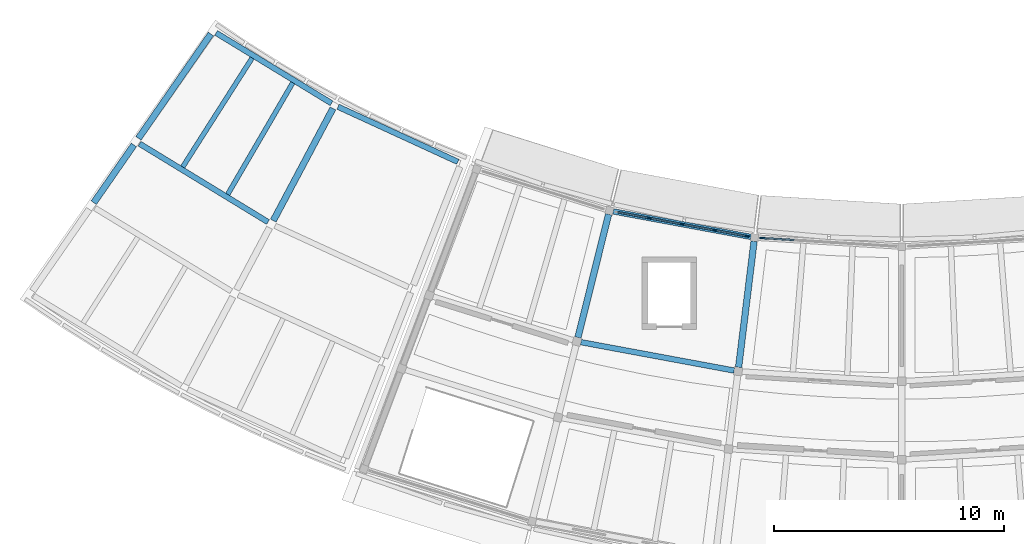
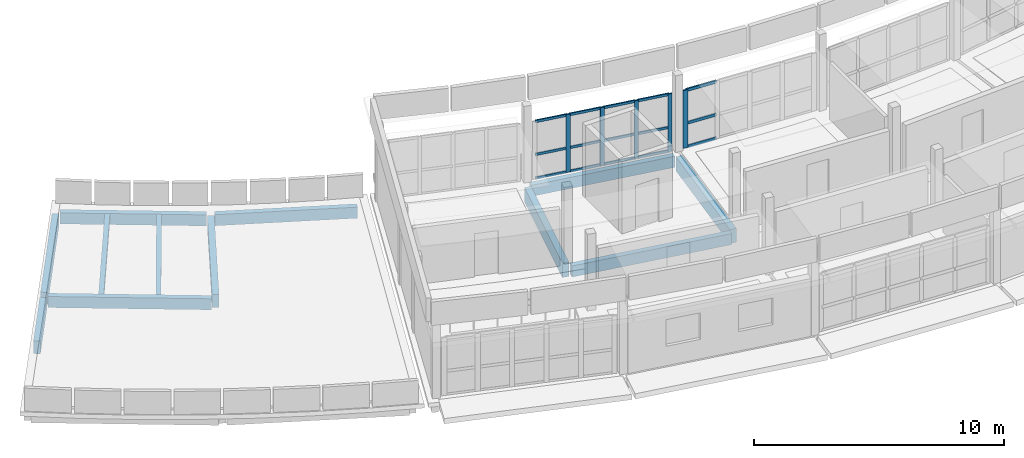
# One storey, part 3 of 12: 20 members, 12 beams, 2 elements without a shape of their own.
"""IFC4 building model written with IfcOpenShell, lengths in metres."""

import ifcopenshell
import ifcopenshell.guid

model = None  # the IFC model being written
_history = None  # IfcOwnerHistory: only IFC2X3 demands one
_inside = {}  # id of a spatial element -> (the spatial element, [elements in it])
_under = {}  # id of a project, library or spatial element -> (it, [spatial elements below it])
_declared = {}  # id of a project -> (the project, [libraries it declares])
_typed = {}  # id of a type object -> (the type object, [elements of that type])
_made_of = {}  # id of a material, layer set ... -> (it, [elements and type objects made of it])


def new_model(schema):
    """Start an empty IFC model of exactly this schema.

    Asked for "IFC4X3", IfcOpenShell would pick the latest addendum, in which some entities
    have other attributes; the version numbers below select the first issue.
    IFC2X3 requires an IfcOwnerHistory on every rooted entity: one is made here for all.
    """
    global model, _history
    if schema == "IFC4X3":
        model = ifcopenshell.file(schema_version=(4, 3, 0, 0))
    else:
        model = ifcopenshell.file(schema=schema)
    _inside.clear()
    _under.clear()
    _declared.clear()
    _typed.clear()
    _made_of.clear()
    _history = None
    if model.schema == "IFC2X3":
        org = make("IfcOrganization", Name="unknown")
        user = make(
            "IfcPersonAndOrganization",
            ThePerson=make("IfcPerson", FamilyName="unknown"),
            TheOrganization=org,
        )
        app = make(
            "IfcApplication",
            ApplicationDeveloper=org,
            Version="unknown",
            ApplicationFullName="unknown",
            ApplicationIdentifier="unknown",
        )
        _history = make(
            "IfcOwnerHistory",
            OwningUser=user,
            OwningApplication=app,
            ChangeAction="ADDED",
            CreationDate=0,
        )
    return model


def make(cls, **values):
    """One entity of the class cls with the attributes given. An attribute that is None is left unset."""
    return model.create_entity(
        cls, **{name: value for name, value in values.items() if value is not None}
    )


def rooted(cls, **values):
    """An entity with a GlobalId (a new one), such as an element, a storey or a relation."""
    return make(cls, GlobalId=ifcopenshell.guid.new(), OwnerHistory=_history, **values)


def si_unit(unit_type, name, prefix=None):
    """IfcSIUnit, for example si_unit("LENGTHUNIT", "METRE", prefix="MILLI")."""
    return make("IfcSIUnit", UnitType=unit_type, Prefix=prefix, Name=name)


def assignment(units):
    """IfcUnitAssignment: the units of a project."""
    return None if units is None else make("IfcUnitAssignment", Units=units)


def point(xyz):
    """IfcCartesianPoint."""
    return None if xyz is None else make("IfcCartesianPoint", Coordinates=xyz)


def direction(xyz):
    """IfcDirection."""
    return None if xyz is None else make("IfcDirection", DirectionRatios=xyz)


def frame(location, z_axis=None, x_axis=None):
    """IfcAxis2Placement3D, a coordinate frame: its origin and axes. An axis left out is left unset."""
    return make(
        "IfcAxis2Placement3D",
        Location=point(location),
        Axis=direction(z_axis),
        RefDirection=direction(x_axis),
    )


def frame_2d(location, x_axis=None):
    """IfcAxis2Placement2D, a coordinate frame in the plane: its origin and x axis."""
    return make(
        "IfcAxis2Placement2D", Location=point(location), RefDirection=direction(x_axis)
    )


def origin():
    """The frame at (0, 0, 0) with its axes left unset."""
    return frame((0.0, 0.0, 0.0))


def origin_2d():
    """The frame at (0, 0) in the plane with its x axis left unset."""
    return frame_2d((0.0, 0.0))


def place(relative_to, where):
    """IfcLocalPlacement: puts the frame where relative to a parent placement (None: the world)."""
    return make(
        "IfcLocalPlacement", PlacementRelTo=relative_to, RelativePlacement=where
    )


def context(
    kind, dimensions, precision=None, world=None, true_north=None, identifier=None
):
    """IfcGeometricRepresentationContext, for example the 3D "Model" context."""
    return make(
        "IfcGeometricRepresentationContext",
        ContextIdentifier=identifier,
        ContextType=kind,
        CoordinateSpaceDimension=dimensions,
        Precision=precision,
        WorldCoordinateSystem=world,
        TrueNorth=true_north,
    )


def subcontext(parent, identifier, kind, view, scale=None):
    """IfcGeometricRepresentationSubContext, for example "Body" below "Model"."""
    return make(
        "IfcGeometricRepresentationSubContext",
        ContextIdentifier=identifier,
        ContextType=kind,
        ParentContext=parent,
        TargetScale=scale,
        TargetView=view,
    )


def project(units=None, contexts=None):
    """IfcProject with its units and contexts."""
    return rooted(
        "IfcProject",
        Name="project",
        RepresentationContexts=contexts,
        UnitsInContext=assignment(units),
    )


def spatial(cls, under=None, at=None, **own):
    """A site, building, storey or space (cls), placed at a placement, below another one or the project."""
    s = rooted(cls, ObjectPlacement=at, **own)
    if under is not None:
        _under.setdefault(under.id(), (under, []))[1].append(s)
    return s


def profile(cls, at=None, kind="AREA", **sizes):
    """A parametric profile (cls). Its sizes go by their IFC names, for example OverallWidth=200.0."""
    return make(cls, ProfileType=kind, Position=at, **sizes)


def rectangle(**sizes):
    """IfcRectangleProfileDef."""
    return profile("IfcRectangleProfileDef", **sizes)


def extrude(swept, where, along, depth):
    """IfcExtrudedAreaSolid: the profile swept, set in the frame where, extruded along a direction by depth."""
    return make(
        "IfcExtrudedAreaSolid",
        SweptArea=swept,
        Position=where,
        ExtrudedDirection=direction(along),
        Depth=depth,
    )


def shape(context_of_items, identifier, shape_type, items):
    """IfcShapeRepresentation: the items that make up one representation, for example the "Body"."""
    return make(
        "IfcShapeRepresentation",
        ContextOfItems=context_of_items,
        RepresentationIdentifier=identifier,
        RepresentationType=shape_type,
        Items=items,
    )


def material(Name=None, Category=None):
    """IfcMaterial."""
    return make("IfcMaterial", Name=Name, Category=Category)


def layer(
    of_material, thickness, ventilated=None, Name=None, Category=None, Priority=None
):
    """IfcMaterialLayer: one layer of a wall or slab, of a material (None: an air gap)."""
    return make(
        "IfcMaterialLayer",
        Material=of_material,
        LayerThickness=thickness,
        IsVentilated=ventilated,
        Name=Name,
        Category=Category,
        Priority=Priority,
    )


def layer_set(layers, Name=None):
    """IfcMaterialLayerSet."""
    return make("IfcMaterialLayerSet", MaterialLayers=layers, LayerSetName=Name)


def material_profile(
    of_material, cross_section, Name=None, Category=None, Priority=None
):
    """IfcMaterialProfile: a cross section and its material."""
    return make(
        "IfcMaterialProfile",
        Name=Name,
        Material=of_material,
        Profile=cross_section,
        Priority=Priority,
        Category=Category,
    )


def profile_set(profiles, Name=None, composite=None):
    """IfcMaterialProfileSet."""
    return make(
        "IfcMaterialProfileSet",
        Name=Name,
        MaterialProfiles=profiles,
        CompositeProfile=composite,
    )


def made_of(thing, what):
    """Note that an element or type object is made of a material, layer set ...; save() writes the relation."""
    if what is not None:
        _made_of.setdefault(what.id(), (what, []))[1].append(thing)
    return thing


def type_object(cls, material=None, **own):
    """A type object (cls), such as IfcWallType, which elements share."""
    return made_of(rooted(cls, **own), material)


def element(
    cls,
    number,
    at=None,
    inside=None,
    cuts=None,
    type_object=None,
    material=None,
    context=None,
    identifier="Body",
    shape_type=None,
    held_by="IfcProductDefinitionShape",
    body=None,
    shapes=None,
    **own,
):
    """One element of the class cls, such as IfcWall. Its Tag is "e" and its number.

    at: its placement. inside: the storey or other place that contains it. cuts: it is an
    opening in that element (IfcRelVoidsElement). A single representation is given by context,
    identifier, shape_type and body (its items); several are given by shapes. held_by: the class
    of the entity that holds the representations. save() writes the other relations.
    """
    e = rooted(cls, Tag="e%d" % number, ObjectPlacement=at, **own)
    if body is not None:
        shapes = [shape(context, identifier, shape_type, body)]
    if shapes is not None:
        e.Representation = make(held_by, Representations=shapes)
    if inside is not None:
        _inside.setdefault(inside.id(), (inside, []))[1].append(e)
    if cuts is not None:
        rooted(
            "IfcRelVoidsElement", RelatingBuildingElement=cuts, RelatedOpeningElement=e
        )
    if type_object is not None:
        _typed.setdefault(type_object.id(), (type_object, []))[1].append(e)
    return made_of(e, material)


def aggregate(whole, parts):
    """IfcRelAggregates: a whole, such as a stair, and the parts it consists of."""
    return rooted("IfcRelAggregates", RelatingObject=whole, RelatedObjects=parts)


def save(model, path):
    """Write the relations noted so far, then the file.

    IfcRelAggregates (storeys below a building ...), IfcRelContainedInSpatialStructure (elements
    in a storey), IfcRelDefinesByType, IfcRelAssociatesMaterial and IfcRelDeclares: one each for
    every whole, place, type object, material and project.
    """
    for whole, parts in _under.values():
        aggregate(whole, parts)
    for where, things in _inside.values():
        rooted(
            "IfcRelContainedInSpatialStructure",
            RelatedElements=things,
            RelatingStructure=where,
        )
    for kind, things in _typed.values():
        rooted("IfcRelDefinesByType", RelatedObjects=things, RelatingType=kind)
    for what, things in _made_of.values():
        rooted("IfcRelAssociatesMaterial", RelatedObjects=things, RelatingMaterial=what)
    for by, libraries in _declared.values():
        rooted("IfcRelDeclares", RelatingContext=by, RelatedDefinitions=libraries)
    model.write(path)


model = new_model("IFC4")

# Units and contexts
model_context = context("Model", 3, precision=1e-05, world=origin(), true_north=direction((0.0, 1.0)))
body_context = subcontext(model_context, "Body", "Model", "MODEL_VIEW")
ifc_project = project(units=[si_unit("LENGTHUNIT", "METRE"), si_unit("AREAUNIT", "SQUARE_METRE"), si_unit("VOLUMEUNIT", "CUBIC_METRE"), si_unit("PLANEANGLEUNIT", "RADIAN"), si_unit("MASSUNIT", "GRAM", prefix="KILO")], contexts=[model_context])

# Site, building, storey
site_placement = place(None, origin())
site = spatial("IfcSite", under=ifc_project, at=site_placement, CompositionType="ELEMENT")
building_placement = place(site_placement, origin())
building = spatial("IfcBuilding", under=site, at=building_placement, Name="Caldaven Crescent School", CompositionType="ELEMENT")
storey_placement = place(building_placement, frame((0.0, 0.0, 19.3798828125)))
storey = spatial("IfcBuildingStorey", under=building, at=storey_placement, Name="L05", CompositionType="ELEMENT", Elevation=19.3798828125)

# Beams
ifc_material_1 = material(Name="Glulam MLE24h (GL28h)", Category="wood")
ifc_material_profile_1 = material_profile(ifc_material_1, rectangle(XDim=0.239990234375, YDim=0.5400390625, at=origin_2d()), Name="MLE 240x540")
ifc_profile_set_1 = profile_set([ifc_material_profile_1], Name="Glulam MLE24h (GL28h)")
beam_type_1 = type_object("IfcBeamType", Name="BM-GL54", PredefinedType="BEAM", material=ifc_profile_set_1)
beam_1_placement = place(storey_placement, frame((54.906005859375, 48.015625, -0.47998046875), z_axis=(0.853705770755, -0.520755659575, 0.0), x_axis=(0.520755659575, 0.853705770755, 0.0)))
element("IfcBeam", 1, at=beam_1_placement, inside=storey, type_object=beam_type_1, Name="BMT-V4W-L05-1668", PredefinedType="BEAM", context=body_context, shape_type="SweptSolid", body=[
    extrude(rectangle(XDim=0.239990234375, YDim=0.5400390625, at=origin_2d()), origin(), (0.0, 0.0, 1.0), 6.52978515625),
])
beam_2_placement = place(storey_placement, frame((74.068115234375, 39.39990234375, -0.47998046875), z_axis=(0.983254724559, -0.182236512894, 0.0), x_axis=(0.182236512894, 0.983254724559, 0.0)))
element("IfcBeam", 2, at=beam_2_placement, inside=storey, type_object=beam_type_1, Name="BMT-V5-L05-1709", PredefinedType="BEAM", context=body_context, shape_type="SweptSolid", body=[
    extrude(rectangle(XDim=0.239990234375, YDim=0.5400390625, at=origin_2d()), origin(), (0.0, 0.0, 1.0), 6.76806640625),
])
ifc_material_profile_2 = material_profile(ifc_material_1, rectangle(XDim=0.280029296875, YDim=0.6298828125, at=origin_2d()), Name="MLE 280x630")
ifc_profile_set_2 = profile_set([ifc_material_profile_2], Name="Glulam MLE24h (GL28h)")
beam_type_2 = type_object("IfcBeamType", Name="BM-GL63", PredefinedType="BEAM", material=ifc_profile_set_2)
beam_3_placement = place(storey_placement, frame((58.0009765625, 52.781005859375, -0.52490234375), z_axis=(-0.57022240995, -0.821490354898, 0.0), x_axis=(0.821490354898, -0.57022240995, 0.0)))
element("IfcBeam", 3, at=beam_3_placement, inside=storey, type_object=beam_type_2, Name="BMR-V4W-L05-1658", PredefinedType="BEAM", context=body_context, shape_type="SweptSolid", body=[
    extrude(rectangle(XDim=0.280029296875, YDim=0.6298828125, at=origin_2d()), origin(), (0.0, 0.0, 1.0), 5.514892578125),
])
beam_4_placement = place(storey_placement, frame((54.65673828125, 47.963134765625, -0.52490234375), z_axis=(-0.570229294137, -0.821485576324, 0.0), x_axis=(0.821485576324, -0.570229294137, 0.0)))
element("IfcBeam", 4, at=beam_4_placement, inside=storey, type_object=beam_type_2, Name="BMR-V4W-L05-1659", PredefinedType="BEAM", context=body_context, shape_type="SweptSolid", body=[
    extrude(rectangle(XDim=0.280029296875, YDim=0.6298828125, at=origin_2d()), origin(), (0.0, 0.0, 1.0), 3.050048828125),
])
beam_5_placement = place(storey_placement, frame((63.301025390625, 49.548095703125, -0.52490234375), z_axis=(-0.46947347425, -0.882946576513, 0.0), x_axis=(0.882946576513, -0.46947347425, 0.0)))
element("IfcBeam", 5, at=beam_5_placement, inside=storey, type_object=beam_type_2, Name="BMR-V4W-L05-1661", PredefinedType="BEAM", context=body_context, shape_type="SweptSolid", body=[
    extrude(rectangle(XDim=0.280029296875, YDim=0.6298828125, at=origin_2d()), origin(), (0.0, 0.0, 1.0), 5.514892578125),
])
ifc_material_profile_3 = material_profile(ifc_material_1, rectangle(XDim=0.280029296875, YDim=0.68994140625, at=origin_2d()), Name="MLE 280x690")
ifc_profile_set_3 = profile_set([ifc_material_profile_3], Name="Glulam MLE24h (GL28h)")
beam_type_3 = type_object("IfcBeamType", Name="BM-GL69", PredefinedType="BEAM", material=ifc_profile_set_3)
for number, where, z_axis, x_axis, name in (
    (6, (75.2724609375, 44.95263671875, -0.554931640625), (-0.241931432995, -0.970293348286, 0.0), (0.970293348286, -0.241931432995, 0.0), "BMR-V5-L05-1684"),
    (7, (81.58837890625, 43.7822265625, -0.554931640625), (-0.121871408826, -0.992545898037, 0.0), (0.992545898037, -0.121871408826, 0.0), "BMR-V5-L05-1687"),
):
    element("IfcBeam", number, at=place(storey_placement, frame(where, z_axis=z_axis, x_axis=x_axis)), inside=storey, type_object=beam_type_3, Name=name, PredefinedType="BEAM", context=body_context, shape_type="SweptSolid", body=[
        extrude(rectangle(XDim=0.280029296875, YDim=0.68994140625, at=origin_2d()), origin(), (0.0, 0.0, 1.0), 5.514892578125),
    ])

# Curtain wall, members
ifc_material_2 = material(Name="Anodised aluminium AA 6063-T6 and low-E double glazing", Category="aluminium")
ifc_layer_1 = layer(ifc_material_2, 0.22998046875)
ifc_layer_set_1 = layer_set([ifc_layer_1], Name="Anodised aluminium AA 6063-T6 and low-E double glazing")
curtain_wall_type_1 = type_object("IfcCurtainWallType", Name="CW-SYS4", PredefinedType="NOTDEFINED", material=ifc_layer_set_1)
curtain_wall_1_placement = place(storey_placement, origin())
curtain_wall_1 = element("IfcCurtainWall", 8, at=curtain_wall_1_placement, inside=storey, type_object=curtain_wall_type_1, Name="CW-L05-181", PredefinedType="NOTDEFINED")
ifc_material_3 = material(Name="Anodised aluminium AA 6063-T6", Category="aluminium")
ifc_material_profile_4 = material_profile(ifc_material_3, rectangle(XDim=0.06494140625, YDim=0.179931640625, at=origin_2d()), Name="CWM 65x180")
ifc_profile_set_4 = profile_set([ifc_material_profile_4], Name="Anodised aluminium AA 6063-T6")
member_type_1 = type_object("IfcMemberType", Name="CWM-T2", PredefinedType="MULLION", material=ifc_profile_set_4)
member_1_placement = place(storey_placement, frame((77.032958984375, 44.788818359375, 0.0), z_axis=(0.0, 0.0, 1.0), x_axis=(0.182236405836, 0.983254744401, 0.0)))
member_1 = element("IfcMember", 9, at=member_1_placement, type_object=member_type_1, Name="CW4 mullion 2", PredefinedType="MULLION", context=body_context, shape_type="SweptSolid", body=[
    extrude(rectangle(XDim=0.06494140625, YDim=0.179931640625, at=origin_2d()), origin(), (0.0, 0.0, 1.0), 2.820068359375),
])
member_2_placement = place(storey_placement, frame((78.45947265625, 44.5244140625, 0.0), z_axis=(0.0, 0.0, 1.0), x_axis=(0.182236405836, 0.983254744401, 0.0)))
member_2 = element("IfcMember", 10, at=member_2_placement, type_object=member_type_1, Name="CW4 mullion 3", PredefinedType="MULLION", context=body_context, shape_type="SweptSolid", body=[
    extrude(rectangle(XDim=0.06494140625, YDim=0.179931640625, at=origin_2d()), origin(), (0.0, 0.0, 1.0), 2.820068359375),
])
member_3_placement = place(storey_placement, frame((79.88623046875, 44.260009765625, 0.0), z_axis=(0.0, 0.0, 1.0), x_axis=(0.182236405836, 0.983254744401, 0.0)))
member_3 = element("IfcMember", 11, at=member_3_placement, type_object=member_type_1, Name="CW4 mullion 4", PredefinedType="MULLION", context=body_context, shape_type="SweptSolid", body=[
    extrude(rectangle(XDim=0.06494140625, YDim=0.179931640625, at=origin_2d()), origin(), (0.0, 0.0, 1.0), 2.820068359375),
])
member_4_placement = place(storey_placement, frame((81.281005859375, 44.00146484375, 0.0), z_axis=(0.0, 0.0, 1.0), x_axis=(0.182236405836, 0.983254744401, 0.0)))
member_4 = element("IfcMember", 12, at=member_4_placement, type_object=member_type_1, Name="CW4 mullion 5", PredefinedType="MULLION", context=body_context, shape_type="SweptSolid", body=[
    extrude(rectangle(XDim=0.06494140625, YDim=0.179931640625, at=origin_2d()), origin(), (0.0, 0.0, 1.0), 2.820068359375),
])

# Curtain wall, member
ifc_layer_2 = layer(ifc_material_2, 0.169921875)
ifc_layer_set_2 = layer_set([ifc_layer_2], Name="Anodised aluminium AA 6063-T6 and low-E double glazing")
curtain_wall_type_2 = type_object("IfcCurtainWallType", Name="CW-SYS1", PredefinedType="NOTDEFINED", material=ifc_layer_set_2)
curtain_wall_2_placement = place(storey_placement, origin())
curtain_wall_2 = element("IfcCurtainWall", 13, at=curtain_wall_2_placement, inside=storey, type_object=curtain_wall_type_2, Name="CW-L05-182", PredefinedType="NOTDEFINED")
ifc_material_profile_5 = material_profile(ifc_material_3, rectangle(XDim=0.070068359375, YDim=0.2099609375, at=origin_2d()), Name="CWM 70x210")
ifc_profile_set_5 = profile_set([ifc_material_profile_5], Name="Anodised aluminium AA 6063-T6")
member_type_2 = type_object("IfcMemberType", Name="CWM-T3", PredefinedType="MULLION", material=ifc_profile_set_5)
member_5_placement = place(storey_placement, frame((81.9423828125, 43.92041015625, 0.0), z_axis=(0.0, 0.0, 1.0), x_axis=(0.061049319496, 0.998134750717, 0.0)))
member_5 = element("IfcMember", 14, at=member_5_placement, type_object=member_type_2, Name="CW1 mullion 1", PredefinedType="MULLION", context=body_context, shape_type="SweptSolid", body=[
    extrude(rectangle(XDim=0.070068359375, YDim=0.2099609375, at=origin_2d()), origin(), (0.0, 0.0, 1.0), 2.820068359375),
])

# Member
ifc_material_profile_6 = material_profile(ifc_material_3, rectangle(XDim=0.06005859375, YDim=0.1201171875, at=origin_2d()), Name="CWT 60x120")
ifc_profile_set_6 = profile_set([ifc_material_profile_6], Name="Anodised aluminium AA 6063-T6")
member_type_3 = type_object("IfcMemberType", Name="CWT-T1", PredefinedType="USERDEFINED", material=ifc_profile_set_6)
member_6_placement = place(storey_placement, frame((75.670166015625, 45.04150390625, 0.030029296875), z_axis=(0.983264057672, -0.182186149009, 0.0), x_axis=(0.182186149009, 0.983264057672, 0.0)))
member_6 = element("IfcMember", 15, at=member_6_placement, type_object=member_type_3, Name="CW4 transom 1.1", ObjectType="TRANSOM", PredefinedType="USERDEFINED", context=body_context, shape_type="SweptSolid", body=[
    extrude(rectangle(XDim=0.06005859375, YDim=0.1201171875, at=origin_2d()), origin(), (0.0, 0.0, 1.0), 1.353515625),
])

member_7_placement = place(storey_placement, frame((75.670166015625, 45.04150390625, 1.18408203125), z_axis=(0.983264057672, -0.182186149009, 0.0), x_axis=(0.182186149009, 0.983264057672, 0.0)))
member_7 = element("IfcMember", 16, at=member_7_placement, type_object=member_type_3, Name="CW4 transom 1.2", ObjectType="TRANSOM", PredefinedType="USERDEFINED", context=body_context, shape_type="SweptSolid", body=[
    extrude(rectangle(XDim=0.06005859375, YDim=0.1201171875, at=origin_2d()), origin(), (0.0, 0.0, 1.0), 1.353515625),
])

member_8_placement = place(storey_placement, frame((75.670166015625, 45.04150390625, 2.7900390625), z_axis=(0.983264057672, -0.182186149009, 0.0), x_axis=(0.182186149009, 0.983264057672, 0.0)))
member_8 = element("IfcMember", 17, at=member_8_placement, type_object=member_type_3, Name="CW4 transom 1.3", ObjectType="TRANSOM", PredefinedType="USERDEFINED", context=body_context, shape_type="SweptSolid", body=[
    extrude(rectangle(XDim=0.06005859375, YDim=0.1201171875, at=origin_2d()), origin(), (0.0, 0.0, 1.0), 1.353515625),
])

member_9_placement = place(storey_placement, frame((77.06494140625, 44.782958984375, 0.030029296875), z_axis=(0.983241097753, -0.182310020812, 0.0), x_axis=(0.182310020812, 0.983241097753, 0.0)))
member_9 = element("IfcMember", 18, at=member_9_placement, type_object=member_type_3, Name="CW4 transom 2.1", ObjectType="TRANSOM", PredefinedType="USERDEFINED", context=body_context, shape_type="SweptSolid", body=[
    extrude(rectangle(XDim=0.06005859375, YDim=0.1201171875, at=origin_2d()), origin(), (0.0, 0.0, 1.0), 1.385986328125),
])

member_10_placement = place(storey_placement, frame((77.06494140625, 44.782958984375, 1.18408203125), z_axis=(0.983241097753, -0.182310020812, 0.0), x_axis=(0.182310020812, 0.983241097753, 0.0)))
member_10 = element("IfcMember", 19, at=member_10_placement, type_object=member_type_3, Name="CW4 transom 2.2", ObjectType="TRANSOM", PredefinedType="USERDEFINED", context=body_context, shape_type="SweptSolid", body=[
    extrude(rectangle(XDim=0.06005859375, YDim=0.1201171875, at=origin_2d()), origin(), (0.0, 0.0, 1.0), 1.385986328125),
])

member_11_placement = place(storey_placement, frame((77.06494140625, 44.782958984375, 2.7900390625), z_axis=(0.983241097753, -0.182310020812, 0.0), x_axis=(0.182310020812, 0.983241097753, 0.0)))
member_11 = element("IfcMember", 20, at=member_11_placement, type_object=member_type_3, Name="CW4 transom 2.3", ObjectType="TRANSOM", PredefinedType="USERDEFINED", context=body_context, shape_type="SweptSolid", body=[
    extrude(rectangle(XDim=0.06005859375, YDim=0.1201171875, at=origin_2d()), origin(), (0.0, 0.0, 1.0), 1.385986328125),
])

member_12_placement = place(storey_placement, frame((78.491455078125, 44.5185546875, 0.030029296875), z_axis=(0.983241097753, -0.182310020812, 0.0), x_axis=(0.182310020812, 0.983241097753, 0.0)))
member_12 = element("IfcMember", 21, at=member_12_placement, type_object=member_type_3, Name="CW4 transom 3.1", ObjectType="TRANSOM", PredefinedType="USERDEFINED", context=body_context, shape_type="SweptSolid", body=[
    extrude(rectangle(XDim=0.06005859375, YDim=0.1201171875, at=origin_2d()), origin(), (0.0, 0.0, 1.0), 1.385986328125),
])

member_13_placement = place(storey_placement, frame((78.491455078125, 44.5185546875, 1.18408203125), z_axis=(0.983241097753, -0.182310020812, 0.0), x_axis=(0.182310020812, 0.983241097753, 0.0)))
member_13 = element("IfcMember", 22, at=member_13_placement, type_object=member_type_3, Name="CW4 transom 3.2", ObjectType="TRANSOM", PredefinedType="USERDEFINED", context=body_context, shape_type="SweptSolid", body=[
    extrude(rectangle(XDim=0.06005859375, YDim=0.1201171875, at=origin_2d()), origin(), (0.0, 0.0, 1.0), 1.385986328125),
])

member_14_placement = place(storey_placement, frame((78.491455078125, 44.5185546875, 2.7900390625), z_axis=(0.983241097753, -0.182310020812, 0.0), x_axis=(0.182310020812, 0.983241097753, 0.0)))
member_14 = element("IfcMember", 23, at=member_14_placement, type_object=member_type_3, Name="CW4 transom 3.3", ObjectType="TRANSOM", PredefinedType="USERDEFINED", context=body_context, shape_type="SweptSolid", body=[
    extrude(rectangle(XDim=0.06005859375, YDim=0.1201171875, at=origin_2d()), origin(), (0.0, 0.0, 1.0), 1.385986328125),
])

member_15_placement = place(storey_placement, frame((79.918212890625, 44.254150390625, 0.030029296875), z_axis=(0.983264057672, -0.182186149009, 0.0), x_axis=(0.182186149009, 0.983264057672, 0.0)))
member_15 = element("IfcMember", 24, at=member_15_placement, type_object=member_type_3, Name="CW4 transom 4.1", ObjectType="TRANSOM", PredefinedType="USERDEFINED", context=body_context, shape_type="SweptSolid", body=[
    extrude(rectangle(XDim=0.06005859375, YDim=0.1201171875, at=origin_2d()), origin(), (0.0, 0.0, 1.0), 1.353515625),
])

member_16_placement = place(storey_placement, frame((79.918212890625, 44.254150390625, 1.18408203125), z_axis=(0.983264057672, -0.182186149009, 0.0), x_axis=(0.182186149009, 0.983264057672, 0.0)))
member_16 = element("IfcMember", 25, at=member_16_placement, type_object=member_type_3, Name="CW4 transom 4.2", ObjectType="TRANSOM", PredefinedType="USERDEFINED", context=body_context, shape_type="SweptSolid", body=[
    extrude(rectangle(XDim=0.06005859375, YDim=0.1201171875, at=origin_2d()), origin(), (0.0, 0.0, 1.0), 1.353515625),
])

member_17_placement = place(storey_placement, frame((79.918212890625, 44.254150390625, 2.7900390625), z_axis=(0.983264057672, -0.182186149009, 0.0), x_axis=(0.182186149009, 0.983264057672, 0.0)))
member_17 = element("IfcMember", 26, at=member_17_placement, type_object=member_type_3, Name="CW4 transom 4.3", ObjectType="TRANSOM", PredefinedType="USERDEFINED", context=body_context, shape_type="SweptSolid", body=[
    extrude(rectangle(XDim=0.06005859375, YDim=0.1201171875, at=origin_2d()), origin(), (0.0, 0.0, 1.0), 1.353515625),
])

aggregate(curtain_wall_1, [member_1, member_2, member_3, member_4, member_6, member_7, member_8, member_9, member_10, member_11, member_12, member_13, member_14, member_15, member_16, member_17])

ifc_material_profile_7 = material_profile(ifc_material_3, rectangle(XDim=0.06494140625, YDim=0.139892578125, at=origin_2d()), Name="CWT 65x140")
ifc_profile_set_7 = profile_set([ifc_material_profile_7], Name="Anodised aluminium AA 6063-T6")
member_type_4 = type_object("IfcMemberType", Name="CWT-T2", PredefinedType="USERDEFINED", material=ifc_profile_set_7)
member_18_placement = place(storey_placement, frame((81.977294921875, 43.91845703125, 0.03271484375), z_axis=(0.998130130323, -0.06112481445, 0.0), x_axis=(0.06112481445, 0.998130130323, 0.0)))
member_18 = element("IfcMember", 27, at=member_18_placement, type_object=member_type_4, Name="CW1 transom 1.1", ObjectType="TRANSOM", PredefinedType="USERDEFINED", context=body_context, shape_type="SweptSolid", body=[
    extrude(rectangle(XDim=0.06494140625, YDim=0.139892578125, at=origin_2d()), origin(), (0.0, 0.0, 1.0), 1.345947265625),
])

member_19_placement = place(storey_placement, frame((81.977294921875, 43.91845703125, 1.18408203125), z_axis=(0.998130130323, -0.06112481445, 0.0), x_axis=(0.06112481445, 0.998130130323, 0.0)))
member_19 = element("IfcMember", 28, at=member_19_placement, type_object=member_type_4, Name="CW1 transom 1.2", ObjectType="TRANSOM", PredefinedType="USERDEFINED", context=body_context, shape_type="SweptSolid", body=[
    extrude(rectangle(XDim=0.06494140625, YDim=0.139892578125, at=origin_2d()), origin(), (0.0, 0.0, 1.0), 1.345947265625),
])

member_20_placement = place(storey_placement, frame((81.977294921875, 43.91845703125, 2.78759765625), z_axis=(0.998130130323, -0.06112481445, 0.0), x_axis=(0.06112481445, 0.998130130323, 0.0)))
member_20 = element("IfcMember", 29, at=member_20_placement, type_object=member_type_4, Name="CW1 transom 1.3", ObjectType="TRANSOM", PredefinedType="USERDEFINED", context=body_context, shape_type="SweptSolid", body=[
    extrude(rectangle(XDim=0.06494140625, YDim=0.139892578125, at=origin_2d()), origin(), (0.0, 0.0, 1.0), 1.345947265625),
])

aggregate(curtain_wall_2, [member_5, member_18, member_19, member_20])

# Beams
ifc_material_profile_8 = material_profile(ifc_material_1, rectangle(XDim=0.2099609375, YDim=0.419921875, at=origin_2d()), Name="MLE 210x420")
ifc_profile_set_8 = profile_set([ifc_material_profile_8], Name="Glulam MLE24h (GL28h)")
beam_type_4 = type_object("IfcBeamType", Name="JS-GL42", PredefinedType="JOIST", material=ifc_profile_set_8)
beam_6_placement = place(storey_placement, frame((59.791748046875, 51.7412109375, -0.419921875), z_axis=(-0.537452532181, -0.843294003093, 0.0), x_axis=(0.843294003093, -0.537452532181, 0.0)))
element("IfcBeam", 30, at=beam_6_placement, inside=storey, type_object=beam_type_4, Name="JSR-V4W-L05-1671", PredefinedType="JOIST", context=body_context, shape_type="SweptSolid", body=[
    extrude(rectangle(XDim=0.2099609375, YDim=0.419921875, at=origin_2d()), origin(), (0.0, 0.0, 1.0), 5.61083984375),
])
beam_7_placement = place(storey_placement, frame((61.556884765625, 50.66455078125, -0.419921875), z_axis=(-0.503808801858, -0.863815195033, 0.0), x_axis=(0.863815195033, -0.503808801858, 0.0)))
element("IfcBeam", 31, at=beam_7_placement, inside=storey, type_object=beam_type_4, Name="JSR-V4W-L05-1673", PredefinedType="JOIST", context=body_context, shape_type="SweptSolid", body=[
    extrude(rectangle(XDim=0.2099609375, YDim=0.419921875, at=origin_2d()), origin(), (0.0, 0.0, 1.0), 5.611083984375),
])
ifc_material_profile_9 = material_profile(ifc_material_1, rectangle(XDim=0.239990234375, YDim=0.5400390625, at=origin_2d()), Name="MLE 240x540")
ifc_profile_set_9 = profile_set([ifc_material_profile_9], Name="Glulam MLE24h (GL28h)")
beam_type_5 = type_object("IfcBeamType", Name="SP-GL54", PredefinedType="SPANDREL", material=ifc_profile_set_9)
beam_8_placement = place(storey_placement, frame((58.228759765625, 52.8291015625, -0.47998046875), z_axis=(0.85371544484, -0.520739799939, 0.0), x_axis=(0.520739799939, 0.85371544484, 0.0)))
element("IfcBeam", 32, at=beam_8_placement, inside=storey, type_object=beam_type_5, Name="BMT-V4W-L05-1667", PredefinedType="SPANDREL", context=body_context, shape_type="SweptSolid", body=[
    extrude(rectangle(XDim=0.239990234375, YDim=0.5400390625, at=origin_2d()), origin(), (0.0, 0.0, 1.0), 5.869384765625),
])
beam_9_placement = place(storey_placement, frame((63.521484375, 49.62255859375, -0.47998046875), z_axis=(0.908531583429, -0.417816181966, 0.0), x_axis=(0.417816181966, 0.908531583429, 0.0)))
element("IfcBeam", 33, at=beam_9_placement, inside=storey, type_object=beam_type_5, Name="BMT-V4W-L05-1675", PredefinedType="SPANDREL", context=body_context, shape_type="SweptSolid", body=[
    extrude(rectangle(XDim=0.239990234375, YDim=0.5400390625, at=origin_2d()), origin(), (0.0, 0.0, 1.0), 5.723388671875),
])
beam_10_placement = place(storey_placement, frame((75.468505859375, 45.078857421875, -0.47998046875), z_axis=(0.983257514796, -0.182221457564, 0.0), x_axis=(0.182221457564, 0.983257514796, 0.0)))
element("IfcBeam", 34, at=beam_10_placement, inside=storey, type_object=beam_type_5, Name="BMT-V5-L05-1708", PredefinedType="SPANDREL", context=body_context, shape_type="SweptSolid", body=[
    extrude(rectangle(XDim=0.239990234375, YDim=0.5400390625, at=origin_2d()), origin(), (0.0, 0.0, 1.0), 6.083984375),
])

save(model, "model.ifc")
